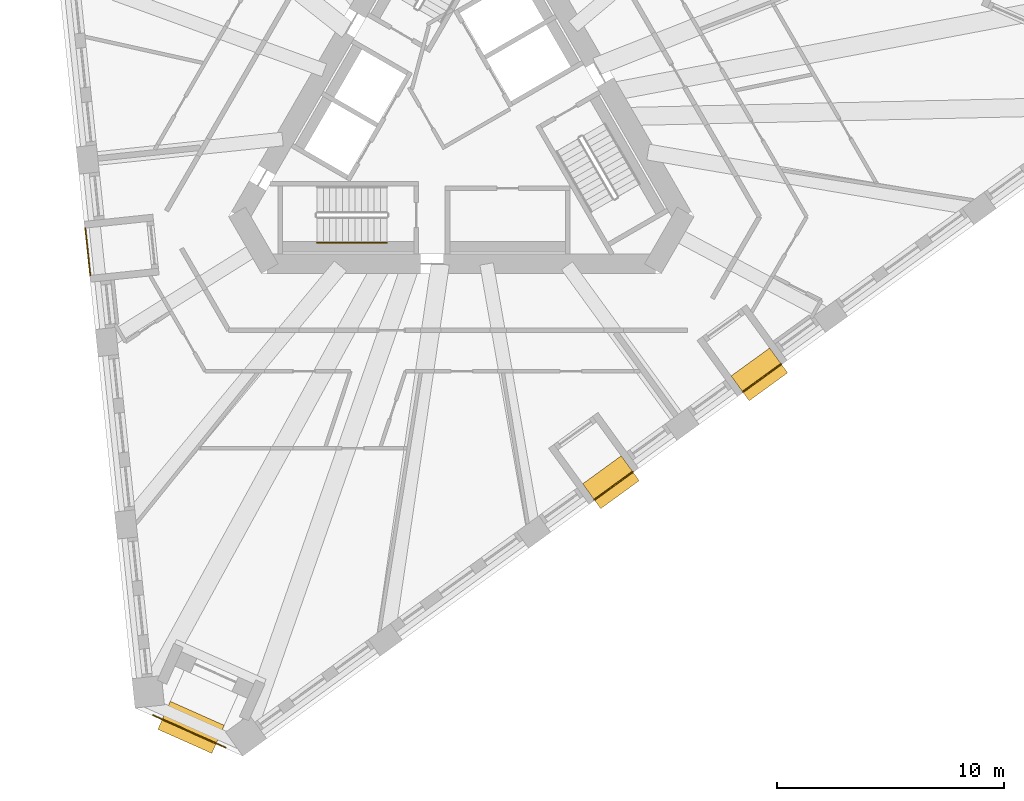
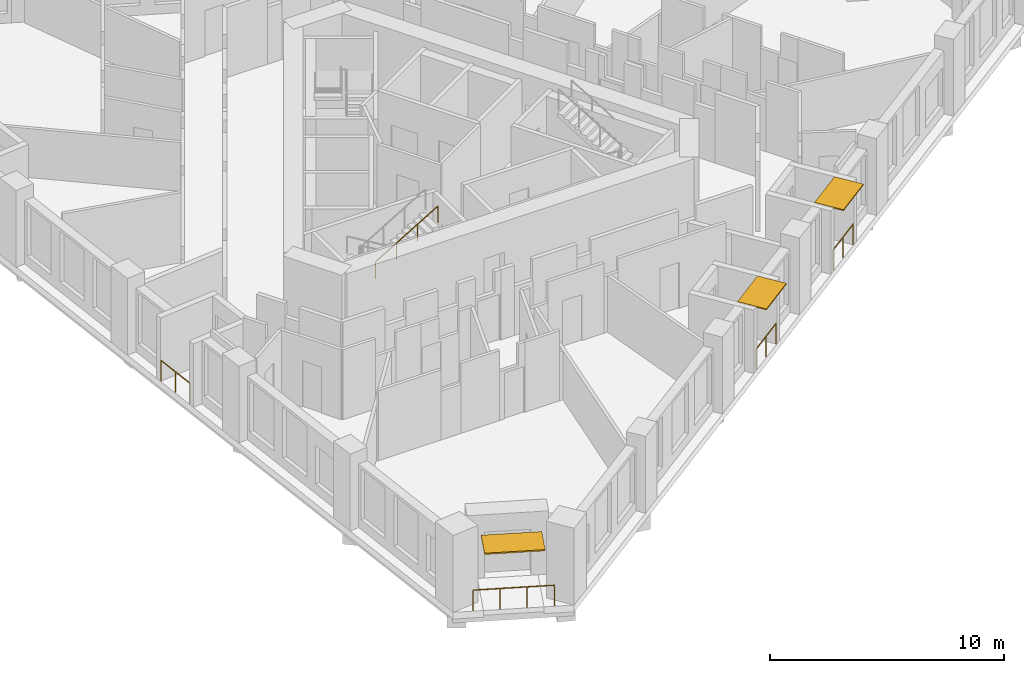
# One storey, part 10 of 14: 5 railings, 3 shading devices.
"""IFC4 building model written with IfcOpenShell, lengths in metres."""

from ifc_helpers import new_model, si_unit, direction, frame, origin, origin_2d, place, context, subcontext, project, spatial, rectangle, circle, extrude, material, layer, layer_set, type_object, element, save


model = new_model("IFC4")

# Units and contexts
model_context = context("Model", 3, precision=1e-05, world=origin(), true_north=direction((0.0, 1.0)))
body_context = subcontext(model_context, "Body", "Model", "MODEL_VIEW")
ifc_project = project(units=[si_unit("LENGTHUNIT", "METRE"), si_unit("AREAUNIT", "SQUARE_METRE"), si_unit("VOLUMEUNIT", "CUBIC_METRE"), si_unit("PLANEANGLEUNIT", "RADIAN"), si_unit("MASSUNIT", "GRAM", prefix="KILO")], contexts=[model_context])

# Site, building, storey
site_placement = place(None, origin())
site = spatial("IfcSite", under=ifc_project, at=site_placement, CompositionType="ELEMENT")
building_placement = place(site_placement, origin())
building = spatial("IfcBuilding", under=site, at=building_placement, Name="Tramontana Tower", CompositionType="ELEMENT")
storey_placement = place(building_placement, frame((0.0, 0.0, 166.800048828125)))
storey = spatial("IfcBuildingStorey", under=building, at=storey_placement, Name="L38", CompositionType="ELEMENT", Elevation=166.800048828125)

# Railings
ifc_material_1 = material(Name="Laminated glass balustrade", Category="glass")
railing_type_1 = type_object("IfcRailingType", Name="GD1 Loggia glass balustrade 1100", PredefinedType="BALUSTRADE", material=ifc_material_1)
railing_1_placement = place(storey_placement, frame((-16.56396484375, -4.751708984375, 0.0)))
element("IfcRailing", 1, at=railing_1_placement, inside=storey, type_object=railing_type_1, Name="Loggia balustrade L38 G4S0.10", PredefinedType="BALUSTRADE", context=body_context, shape_type="SweptSolid", body=[
    extrude(circle(Radius=0.02392578125, at=origin_2d()), frame((0.0, 0.0, 1.076171875), z_axis=(0.104454180193, -0.994529700029, 0.0), x_axis=(0.994529700029, 0.104454180193, 0.0)), (0.0, 0.0, 1.0), 2.09423828125),
    extrude(circle(Radius=0.02099609375, at=origin_2d()), origin(), (0.0, 0.0, 1.0), 1.052001953125),
    extrude(circle(Radius=0.02099609375, at=origin_2d()), frame((0.109375, -1.04150390625, 0.0)), (0.0, 0.0, 1.0), 1.052001953125),
    extrude(circle(Radius=0.02099609375, at=origin_2d()), frame((0.21875, -2.082763671875, 0.0)), (0.0, 0.0, 1.0), 1.052001953125),
])
for number, where, name in (
    (2, (5.85791015625, -16.719970703125, 0.0), "Loggia balustrade L38 G4S1.7"),
    (3, (12.397216796875, -11.968994140625, 0.0), "Loggia balustrade L38 G4S1.10"),
):
    element("IfcRailing", number, at=place(storey_placement, frame(where)), inside=storey, type_object=railing_type_1, Name=name, PredefinedType="BALUSTRADE", context=body_context, shape_type="SweptSolid", body=[
        extrude(circle(Radius=0.02392578125, at=origin_2d()), frame((0.0, 0.0, 1.076171875), z_axis=(0.809028366311, 0.587769599847, 0.0), x_axis=(-0.587769599847, 0.809028366311, 0.0)), (0.0, 0.0, 1.0), 2.09423828125),
        extrude(circle(Radius=0.02099609375, at=origin_2d()), origin(), (0.0, 0.0, 1.0), 1.052001953125),
        extrude(circle(Radius=0.02099609375, at=origin_2d()), frame((0.84716796875, 0.615478515625, 0.0)), (0.0, 0.0, 1.0), 1.052001953125),
        extrude(circle(Radius=0.02099609375, at=origin_2d()), frame((1.6943359375, 1.23095703125, 0.0)), (0.0, 0.0, 1.0), 1.052001953125),
    ])
railing_2_placement = place(storey_placement, frame((-10.387939453125, -27.634033203125, 0.0)))
element("IfcRailing", 4, at=railing_2_placement, inside=storey, type_object=railing_type_1, Name="Corner loggia balustrade L38 K41", PredefinedType="BALUSTRADE", context=body_context, shape_type="SweptSolid", body=[
    extrude(circle(Radius=0.02392578125, at=origin_2d()), frame((0.0, 0.0, 1.076171875), z_axis=(-0.913538066796, 0.406753242783, 0.0), x_axis=(-0.406753242783, -0.913538066796, 0.0)), (0.0, 0.0, 1.0), 3.499755859375),
    extrude(circle(Radius=0.02099609375, at=origin_2d()), origin(), (0.0, 0.0, 1.0), 1.052001953125),
    extrude(circle(Radius=0.02099609375, at=origin_2d()), frame((-1.065673828125, 0.474609375, 0.0)), (0.0, 0.0, 1.0), 1.052001953125),
    extrude(circle(Radius=0.02099609375, at=origin_2d()), frame((-2.131591796875, 0.948974609375, 0.0)), (0.0, 0.0, 1.0), 1.052001953125),
    extrude(circle(Radius=0.02099609375, at=origin_2d()), frame((-3.197265625, 1.423583984375, 0.0)), (0.0, 0.0, 1.0), 1.052001953125),
])

# Shading devices
ifc_material_2 = material(Name="Precast concrete 60 MPa", Category="concrete")
ifc_layer_1 = layer(ifc_material_2, 0.06005859375)
ifc_layer_set_1 = layer_set([ifc_layer_1], Name="SS1 Stone sunshade blade 60")
shading_device_type_1 = type_object("IfcShadingDeviceType", Name="SS1 Stone sunshade blade 60", PredefinedType="USERDEFINED", material=ifc_layer_set_1)
for number, where, z_axis, x_axis, name in (
    (5, (6.590576171875, -15.94677734375, 3.239990234375), (0.0, 0.0, 1.0), (0.809016994375, 0.587785252292, 0.0), "Sunshade L38 G4S1.7"),
    (6, (13.129638671875, -11.19580078125, 3.239990234375), (0.0, 0.0, 1.0), (0.809016994375, 0.587785252292, 0.0), "Sunshade L38 G4S1.10"),
):
    element("IfcShadingDevice", number, at=place(storey_placement, frame(where, z_axis=z_axis, x_axis=x_axis)), inside=storey, type_object=shading_device_type_1, Name=name, ObjectType="SUNSHADE", PredefinedType="USERDEFINED", context=body_context, shape_type="SweptSolid", body=[
        extrude(rectangle(XDim=2.09423828125, YDim=1.35009765625, at=origin_2d()), origin(), (0.0, 0.0, 1.0), 0.06005859375),
    ])
ifc_material_3 = material(Name="Precast concrete 60 MPa", Category="concrete")
ifc_layer_2 = layer(ifc_material_3, 0.070068359375)
ifc_layer_set_2 = layer_set([ifc_layer_2], Name="SS2 Stone sunshade blade 70")
shading_device_type_2 = type_object("IfcShadingDeviceType", Name="SS2 Stone sunshade blade 70", PredefinedType="USERDEFINED", material=ifc_layer_set_2)
shading_device_placement = place(storey_placement, frame((-11.9072265625, -26.744140625, 3.22998046875), z_axis=(0.0, 0.0, 1.0), x_axis=(-0.913545457643, 0.406736643076, 0.0)))
element("IfcShadingDevice", 7, at=shading_device_placement, inside=storey, type_object=shading_device_type_2, Name="Corner sunshade L38 K41", ObjectType="SUNSHADE", PredefinedType="USERDEFINED", context=body_context, shape_type="SweptSolid", body=[
    extrude(rectangle(XDim=2.60009765625, YDim=1.35009765625, at=origin_2d()), origin(), (0.0, 0.0, 1.0), 0.070068359375),
])

# Railing
ifc_material_4 = material(Name="Painted steel", Category="steel")
railing_type_2 = type_object("IfcRailingType", Name="STAIR HANDRAIL 900", PredefinedType="HANDRAIL", material=ifc_material_4)
railing_3_placement = place(storey_placement, frame((-6.360107421875, -5.39990234375, 2.16650390625)))
element("IfcRailing", 8, at=railing_3_placement, inside=storey, type_object=railing_type_2, Name="L38 ST2 stair handrail 2", PredefinedType="HANDRAIL", context=body_context, shape_type="SweptSolid", body=[
    extrude(circle(Radius=0.02392578125, at=origin_2d()), frame((0.0, 0.0, 0.8759765625), z_axis=(0.85927862911, 0.0, 0.511507807912), x_axis=(0.0, 1.0, 0.0)), (0.0, 0.0, 1.0), 3.58447265625),
    extrude(circle(Radius=0.02099609375, at=origin_2d()), origin(), (0.0, 0.0, 1.0), 0.851806640625),
    extrude(circle(Radius=0.02099609375, at=origin_2d()), frame((1.026611328125, 0.0, 0.611083984375)), (0.0, 0.0, 1.0), 0.851806640625),
    extrude(circle(Radius=0.02099609375, at=origin_2d()), frame((2.053466796875, 0.0, 1.222412109375)), (0.0, 0.0, 1.0), 0.851806640625),
    extrude(circle(Radius=0.02099609375, at=origin_2d()), frame((3.080078125, 0.0, 1.83349609375)), (0.0, 0.0, 1.0), 0.851806640625),
])

save(model, "model.ifc")
